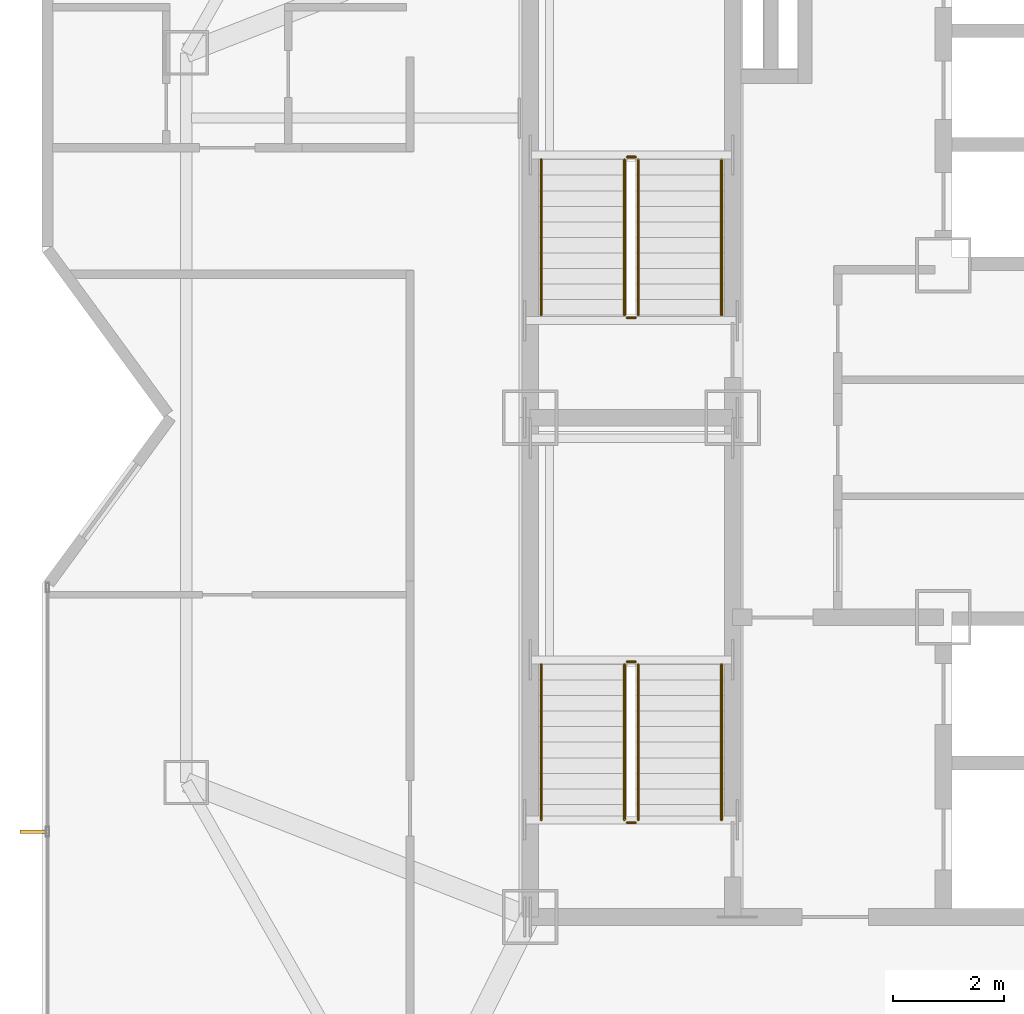
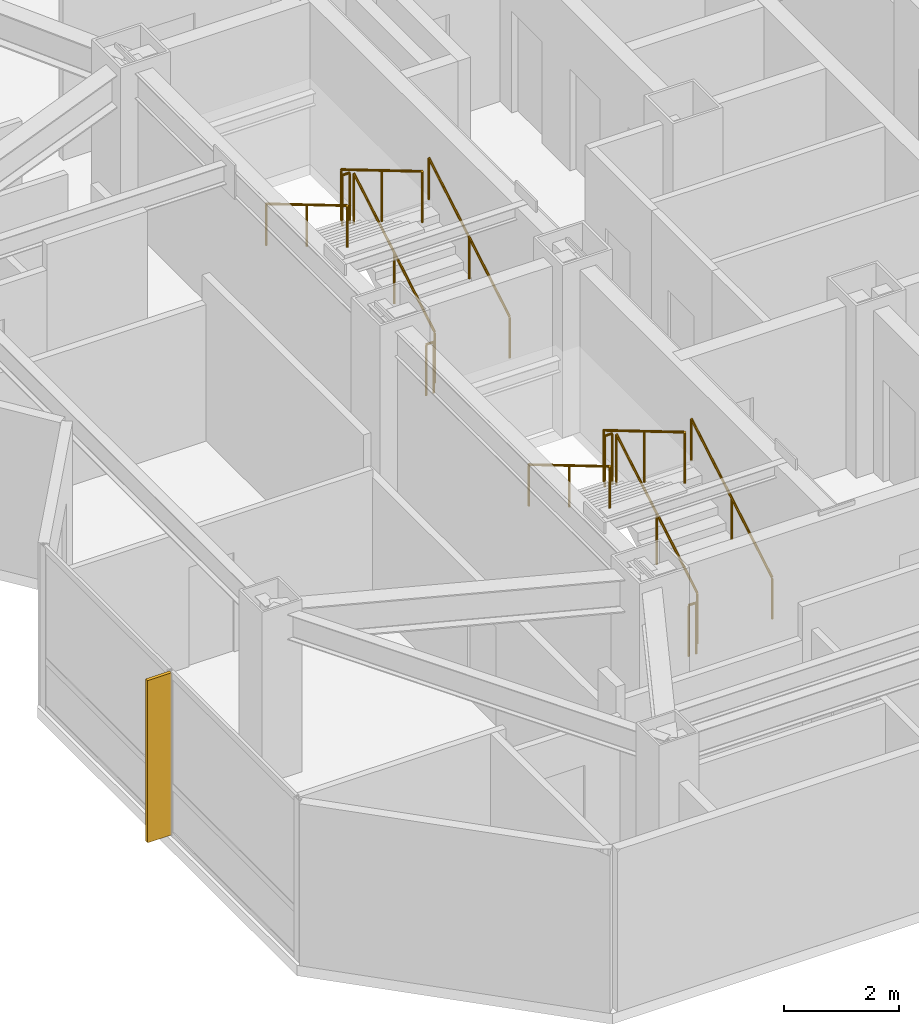
# One storey, part 14 of 14: 12 railings, 1 shading device.
"""IFC4 building model written with IfcOpenShell, lengths in metres."""

import ifcopenshell
import ifcopenshell.guid

model = None  # the IFC model being written
_history = None  # IfcOwnerHistory: only IFC2X3 demands one
_inside = {}  # id of a spatial element -> (the spatial element, [elements in it])
_under = {}  # id of a project, library or spatial element -> (it, [spatial elements below it])
_declared = {}  # id of a project -> (the project, [libraries it declares])
_typed = {}  # id of a type object -> (the type object, [elements of that type])
_made_of = {}  # id of a material, layer set ... -> (it, [elements and type objects made of it])


def new_model(schema):
    """Start an empty IFC model of exactly this schema.

    Asked for "IFC4X3", IfcOpenShell would pick the latest addendum, in which some entities
    have other attributes; the version numbers below select the first issue.
    IFC2X3 requires an IfcOwnerHistory on every rooted entity: one is made here for all.
    """
    global model, _history
    if schema == "IFC4X3":
        model = ifcopenshell.file(schema_version=(4, 3, 0, 0))
    else:
        model = ifcopenshell.file(schema=schema)
    _inside.clear()
    _under.clear()
    _declared.clear()
    _typed.clear()
    _made_of.clear()
    _history = None
    if model.schema == "IFC2X3":
        org = make("IfcOrganization", Name="unknown")
        user = make(
            "IfcPersonAndOrganization",
            ThePerson=make("IfcPerson", FamilyName="unknown"),
            TheOrganization=org,
        )
        app = make(
            "IfcApplication",
            ApplicationDeveloper=org,
            Version="unknown",
            ApplicationFullName="unknown",
            ApplicationIdentifier="unknown",
        )
        _history = make(
            "IfcOwnerHistory",
            OwningUser=user,
            OwningApplication=app,
            ChangeAction="ADDED",
            CreationDate=0,
        )
    return model


def make(cls, **values):
    """One entity of the class cls with the attributes given. An attribute that is None is left unset."""
    return model.create_entity(
        cls, **{name: value for name, value in values.items() if value is not None}
    )


def rooted(cls, **values):
    """An entity with a GlobalId (a new one), such as an element, a storey or a relation."""
    return make(cls, GlobalId=ifcopenshell.guid.new(), OwnerHistory=_history, **values)


def si_unit(unit_type, name, prefix=None):
    """IfcSIUnit, for example si_unit("LENGTHUNIT", "METRE", prefix="MILLI")."""
    return make("IfcSIUnit", UnitType=unit_type, Prefix=prefix, Name=name)


def assignment(units):
    """IfcUnitAssignment: the units of a project."""
    return None if units is None else make("IfcUnitAssignment", Units=units)


def point(xyz):
    """IfcCartesianPoint."""
    return None if xyz is None else make("IfcCartesianPoint", Coordinates=xyz)


def direction(xyz):
    """IfcDirection."""
    return None if xyz is None else make("IfcDirection", DirectionRatios=xyz)


def frame(location, z_axis=None, x_axis=None):
    """IfcAxis2Placement3D, a coordinate frame: its origin and axes. An axis left out is left unset."""
    return make(
        "IfcAxis2Placement3D",
        Location=point(location),
        Axis=direction(z_axis),
        RefDirection=direction(x_axis),
    )


def frame_2d(location, x_axis=None):
    """IfcAxis2Placement2D, a coordinate frame in the plane: its origin and x axis."""
    return make(
        "IfcAxis2Placement2D", Location=point(location), RefDirection=direction(x_axis)
    )


def origin():
    """The frame at (0, 0, 0) with its axes left unset."""
    return frame((0.0, 0.0, 0.0))


def origin_2d():
    """The frame at (0, 0) in the plane with its x axis left unset."""
    return frame_2d((0.0, 0.0))


def place(relative_to, where):
    """IfcLocalPlacement: puts the frame where relative to a parent placement (None: the world)."""
    return make(
        "IfcLocalPlacement", PlacementRelTo=relative_to, RelativePlacement=where
    )


def context(
    kind, dimensions, precision=None, world=None, true_north=None, identifier=None
):
    """IfcGeometricRepresentationContext, for example the 3D "Model" context."""
    return make(
        "IfcGeometricRepresentationContext",
        ContextIdentifier=identifier,
        ContextType=kind,
        CoordinateSpaceDimension=dimensions,
        Precision=precision,
        WorldCoordinateSystem=world,
        TrueNorth=true_north,
    )


def subcontext(parent, identifier, kind, view, scale=None):
    """IfcGeometricRepresentationSubContext, for example "Body" below "Model"."""
    return make(
        "IfcGeometricRepresentationSubContext",
        ContextIdentifier=identifier,
        ContextType=kind,
        ParentContext=parent,
        TargetScale=scale,
        TargetView=view,
    )


def project(units=None, contexts=None):
    """IfcProject with its units and contexts."""
    return rooted(
        "IfcProject",
        Name="project",
        RepresentationContexts=contexts,
        UnitsInContext=assignment(units),
    )


def spatial(cls, under=None, at=None, **own):
    """A site, building, storey or space (cls), placed at a placement, below another one or the project."""
    s = rooted(cls, ObjectPlacement=at, **own)
    if under is not None:
        _under.setdefault(under.id(), (under, []))[1].append(s)
    return s


def profile(cls, at=None, kind="AREA", **sizes):
    """A parametric profile (cls). Its sizes go by their IFC names, for example OverallWidth=200.0."""
    return make(cls, ProfileType=kind, Position=at, **sizes)


def rectangle(**sizes):
    """IfcRectangleProfileDef."""
    return profile("IfcRectangleProfileDef", **sizes)


def circle(**sizes):
    """IfcCircleProfileDef."""
    return profile("IfcCircleProfileDef", **sizes)


def extrude(swept, where, along, depth):
    """IfcExtrudedAreaSolid: the profile swept, set in the frame where, extruded along a direction by depth."""
    return make(
        "IfcExtrudedAreaSolid",
        SweptArea=swept,
        Position=where,
        ExtrudedDirection=direction(along),
        Depth=depth,
    )


def shape(context_of_items, identifier, shape_type, items):
    """IfcShapeRepresentation: the items that make up one representation, for example the "Body"."""
    return make(
        "IfcShapeRepresentation",
        ContextOfItems=context_of_items,
        RepresentationIdentifier=identifier,
        RepresentationType=shape_type,
        Items=items,
    )


def material(Name=None, Category=None):
    """IfcMaterial."""
    return make("IfcMaterial", Name=Name, Category=Category)


def made_of(thing, what):
    """Note that an element or type object is made of a material, layer set ...; save() writes the relation."""
    if what is not None:
        _made_of.setdefault(what.id(), (what, []))[1].append(thing)
    return thing


def type_object(cls, material=None, **own):
    """A type object (cls), such as IfcWallType, which elements share."""
    return made_of(rooted(cls, **own), material)


def element(
    cls,
    number,
    at=None,
    inside=None,
    cuts=None,
    type_object=None,
    material=None,
    context=None,
    identifier="Body",
    shape_type=None,
    held_by="IfcProductDefinitionShape",
    body=None,
    shapes=None,
    **own,
):
    """One element of the class cls, such as IfcWall. Its Tag is "e" and its number.

    at: its placement. inside: the storey or other place that contains it. cuts: it is an
    opening in that element (IfcRelVoidsElement). A single representation is given by context,
    identifier, shape_type and body (its items); several are given by shapes. held_by: the class
    of the entity that holds the representations. save() writes the other relations.
    """
    e = rooted(cls, Tag="e%d" % number, ObjectPlacement=at, **own)
    if body is not None:
        shapes = [shape(context, identifier, shape_type, body)]
    if shapes is not None:
        e.Representation = make(held_by, Representations=shapes)
    if inside is not None:
        _inside.setdefault(inside.id(), (inside, []))[1].append(e)
    if cuts is not None:
        rooted(
            "IfcRelVoidsElement", RelatingBuildingElement=cuts, RelatedOpeningElement=e
        )
    if type_object is not None:
        _typed.setdefault(type_object.id(), (type_object, []))[1].append(e)
    return made_of(e, material)


def aggregate(whole, parts):
    """IfcRelAggregates: a whole, such as a stair, and the parts it consists of."""
    return rooted("IfcRelAggregates", RelatingObject=whole, RelatedObjects=parts)


def save(model, path):
    """Write the relations noted so far, then the file.

    IfcRelAggregates (storeys below a building ...), IfcRelContainedInSpatialStructure (elements
    in a storey), IfcRelDefinesByType, IfcRelAssociatesMaterial and IfcRelDeclares: one each for
    every whole, place, type object, material and project.
    """
    for whole, parts in _under.values():
        aggregate(whole, parts)
    for where, things in _inside.values():
        rooted(
            "IfcRelContainedInSpatialStructure",
            RelatedElements=things,
            RelatingStructure=where,
        )
    for kind, things in _typed.values():
        rooted("IfcRelDefinesByType", RelatedObjects=things, RelatingType=kind)
    for what, things in _made_of.values():
        rooted("IfcRelAssociatesMaterial", RelatedObjects=things, RelatingMaterial=what)
    for by, libraries in _declared.values():
        rooted("IfcRelDeclares", RelatingContext=by, RelatedDefinitions=libraries)
    model.write(path)


model = new_model("IFC4")

# Units and contexts
model_context = context("Model", 3, precision=1e-05, world=origin(), true_north=direction((0.0, 1.0)))
body_context = subcontext(model_context, "Body", "Model", "MODEL_VIEW")
ifc_project = project(units=[si_unit("LENGTHUNIT", "METRE"), si_unit("AREAUNIT", "SQUARE_METRE"), si_unit("VOLUMEUNIT", "CUBIC_METRE"), si_unit("PLANEANGLEUNIT", "RADIAN"), si_unit("MASSUNIT", "GRAM", prefix="KILO")], contexts=[model_context])

# Site, building, storey
site_placement = place(None, origin())
site = spatial("IfcSite", under=ifc_project, at=site_placement, CompositionType="ELEMENT")
building_placement = place(site_placement, origin())
building = spatial("IfcBuilding", under=site, at=building_placement, Name="Khamvora Tower", CompositionType="ELEMENT")
storey_placement = place(building_placement, frame((0.0, 0.0, 253.699951171875)))
storey = spatial("IfcBuildingStorey", under=building, at=storey_placement, Name="L65", CompositionType="ELEMENT", Elevation=253.699951171875)

# Railings
ifc_material_1 = material(Name="Brushed Stainless Steel 316", Category="steel")
railing_type_1 = type_object("IfcRailingType", Name="RAL-HDR-920", PredefinedType="HANDRAIL", material=ifc_material_1)
railing_1_placement = place(storey_placement, frame((32.449951171875, 20.75, 0.166015625)))
element("IfcRailing", 1, at=railing_1_placement, inside=storey, type_object=railing_type_1, Name="L65 ST-01 stair handrail 1", PredefinedType="HANDRAIL", context=body_context, shape_type="SweptSolid", body=[
    extrude(circle(Radius=0.02392578125, at=origin_2d()), frame((0.0, 0.0, 0.8759765625), z_axis=(0.0, 0.860339051648, 0.50972219513), x_axis=(-1.0, 0.0, 0.0)), (0.0, 0.0, 1.0), 3.254638671875),
    extrude(circle(Radius=0.02099609375, at=origin_2d()), origin(), (0.0, 0.0, 1.0), 0.851806640625),
    extrude(circle(Radius=0.02099609375, at=origin_2d()), frame((0.0, 1.39990234375, 0.82958984375)), (0.0, 0.0, 1.0), 0.851806640625),
    extrude(circle(Radius=0.02099609375, at=origin_2d()), frame((0.0, 2.800048828125, 1.658935546875)), (0.0, 0.0, 1.0), 0.851806640625),
])
railing_2_placement = place(storey_placement, frame((29.199951171875, 23.550048828125, 1.990966796875)))
element("IfcRailing", 2, at=railing_2_placement, inside=storey, type_object=railing_type_1, Name="L65 ST-01 stair handrail 2", PredefinedType="HANDRAIL", context=body_context, shape_type="SweptSolid", body=[
    extrude(circle(Radius=0.02392578125, at=origin_2d()), frame((0.0, 0.0, 0.8759765625), z_axis=(0.0, -0.860306154799, 0.50977771628), x_axis=(1.0, 0.0, 0.0)), (0.0, 0.0, 1.0), 3.254638671875),
    extrude(circle(Radius=0.02099609375, at=origin_2d()), origin(), (0.0, 0.0, 1.0), 0.851806640625),
    extrude(circle(Radius=0.02099609375, at=origin_2d()), frame((0.0, -1.39990234375, 0.82958984375)), (0.0, 0.0, 1.0), 0.851806640625),
    extrude(circle(Radius=0.02099609375, at=origin_2d()), frame((0.0, -2.800048828125, 1.6591796875)), (0.0, 0.0, 1.0), 0.851806640625),
])
railing_3_placement = place(storey_placement, frame((32.449951171875, 29.85009765625, 0.166015625)))
element("IfcRailing", 3, at=railing_3_placement, inside=storey, type_object=railing_type_1, Name="L65 ST-02 stair handrail 1", PredefinedType="HANDRAIL", context=body_context, shape_type="SweptSolid", body=[
    extrude(circle(Radius=0.02392578125, at=origin_2d()), frame((0.0, 0.0, 0.8759765625), z_axis=(0.0, 0.860319559791, 0.509755093197), x_axis=(-1.0, 0.0, 0.0)), (0.0, 0.0, 1.0), 3.25439453125),
    extrude(circle(Radius=0.02099609375, at=origin_2d()), origin(), (0.0, 0.0, 1.0), 0.851806640625),
    extrude(circle(Radius=0.02099609375, at=origin_2d()), frame((0.0, 1.39990234375, 0.82958984375)), (0.0, 0.0, 1.0), 0.851806640625),
    extrude(circle(Radius=0.02099609375, at=origin_2d()), frame((0.0, 2.7998046875, 1.658935546875)), (0.0, 0.0, 1.0), 0.851806640625),
])
railing_4_placement = place(storey_placement, frame((29.199951171875, 32.64990234375, 1.990966796875)))
element("IfcRailing", 4, at=railing_4_placement, inside=storey, type_object=railing_type_1, Name="L65 ST-02 stair handrail 2", PredefinedType="HANDRAIL", context=body_context, shape_type="SweptSolid", body=[
    extrude(circle(Radius=0.02392578125, at=origin_2d()), frame((0.0, 0.0, 0.8759765625), z_axis=(0.0, -0.860286659441, 0.509810615413), x_axis=(1.0, 0.0, 0.0)), (0.0, 0.0, 1.0), 3.25439453125),
    extrude(circle(Radius=0.02099609375, at=origin_2d()), origin(), (0.0, 0.0, 1.0), 0.851806640625),
    extrude(circle(Radius=0.02099609375, at=origin_2d()), frame((0.0, -1.39990234375, 0.82958984375)), (0.0, 0.0, 1.0), 0.851806640625),
    extrude(circle(Radius=0.02099609375, at=origin_2d()), frame((0.0, -2.7998046875, 1.6591796875)), (0.0, 0.0, 1.0), 0.851806640625),
])
ifc_material_2 = material(Name="Stainless Steel 316", Category="steel")
railing_type_2 = type_object("IfcRailingType", Name="RAL-STG-1100", PredefinedType="GUARDRAIL", material=ifc_material_2)
railing_5_placement = place(storey_placement, frame((30.949951171875, 20.75, 0.166015625)))
element("IfcRailing", 5, at=railing_5_placement, inside=storey, type_object=railing_type_2, Name="L65 ST-01 stair guard 1", PredefinedType="GUARDRAIL", context=body_context, shape_type="SweptSolid", body=[
    extrude(circle(Radius=0.02392578125, at=origin_2d()), frame((0.0, 0.0, 1.076171875), z_axis=(0.0, 0.860339051648, 0.50972219513), x_axis=(-1.0, 0.0, 0.0)), (0.0, 0.0, 1.0), 3.254638671875),
    extrude(circle(Radius=0.02099609375, at=origin_2d()), origin(), (0.0, 0.0, 1.0), 1.052001953125),
    extrude(circle(Radius=0.02099609375, at=origin_2d()), frame((0.0, 1.39990234375, 0.82958984375)), (0.0, 0.0, 1.0), 1.052001953125),
    extrude(circle(Radius=0.02099609375, at=origin_2d()), frame((0.0, 2.800048828125, 1.658935546875)), (0.0, 0.0, 1.0), 1.052001953125),
])
railing_6_placement = place(storey_placement, frame((30.89990234375, 23.60009765625, 1.824951171875)))
element("IfcRailing", 6, at=railing_6_placement, inside=storey, type_object=railing_type_2, Name="L65 ST-01 stair guard 2", PredefinedType="GUARDRAIL", context=body_context, shape_type="SweptSolid", body=[
    extrude(circle(Radius=0.02392578125, at=origin_2d()), frame((0.0, 0.0, 1.076171875), z_axis=(-1.0, 0.0, 0.0), x_axis=(0.0, -1.0, 0.0)), (0.0, 0.0, 1.0), 0.14990234375),
    extrude(circle(Radius=0.02099609375, at=origin_2d()), origin(), (0.0, 0.0, 1.0), 1.052001953125),
    extrude(circle(Radius=0.02099609375, at=origin_2d()), frame((-0.14990234375, 0.0, 0.0)), (0.0, 0.0, 1.0), 1.052001953125),
])
railing_7_placement = place(storey_placement, frame((30.699951171875, 23.550048828125, 1.990966796875)))
element("IfcRailing", 7, at=railing_7_placement, inside=storey, type_object=railing_type_2, Name="L65 ST-01 stair guard 3", PredefinedType="GUARDRAIL", context=body_context, shape_type="SweptSolid", body=[
    extrude(circle(Radius=0.02392578125, at=origin_2d()), frame((0.0, 0.0, 1.076171875), z_axis=(0.0, -0.860306154799, 0.50977771628), x_axis=(1.0, 0.0, 0.0)), (0.0, 0.0, 1.0), 3.254638671875),
    extrude(circle(Radius=0.02099609375, at=origin_2d()), origin(), (0.0, 0.0, 1.0), 1.052001953125),
    extrude(circle(Radius=0.02099609375, at=origin_2d()), frame((0.0, -1.39990234375, 0.82958984375)), (0.0, 0.0, 1.0), 1.052001953125),
    extrude(circle(Radius=0.02099609375, at=origin_2d()), frame((0.0, -2.800048828125, 1.6591796875)), (0.0, 0.0, 1.0), 1.052001953125),
])
railing_8_placement = place(storey_placement, frame((30.89990234375, 20.699951171875, 0.0)))
element("IfcRailing", 8, at=railing_8_placement, inside=storey, type_object=railing_type_2, Name="L65 ST-01 stair guard 4", PredefinedType="GUARDRAIL", context=body_context, shape_type="SweptSolid", body=[
    extrude(circle(Radius=0.02392578125, at=origin_2d()), frame((0.0, 0.0, 1.076171875), z_axis=(-1.0, 0.0, 0.0), x_axis=(0.0, -1.0, 0.0)), (0.0, 0.0, 1.0), 0.14990234375),
    extrude(circle(Radius=0.02099609375, at=origin_2d()), origin(), (0.0, 0.0, 1.0), 1.052001953125),
    extrude(circle(Radius=0.02099609375, at=origin_2d()), frame((-0.14990234375, 0.0, 0.0)), (0.0, 0.0, 1.0), 1.052001953125),
])
railing_9_placement = place(storey_placement, frame((30.949951171875, 29.85009765625, 0.166015625)))
element("IfcRailing", 9, at=railing_9_placement, inside=storey, type_object=railing_type_2, Name="L65 ST-02 stair guard 1", PredefinedType="GUARDRAIL", context=body_context, shape_type="SweptSolid", body=[
    extrude(circle(Radius=0.02392578125, at=origin_2d()), frame((0.0, 0.0, 1.076171875), z_axis=(0.0, 0.860319559791, 0.509755093197), x_axis=(-1.0, 0.0, 0.0)), (0.0, 0.0, 1.0), 3.25439453125),
    extrude(circle(Radius=0.02099609375, at=origin_2d()), origin(), (0.0, 0.0, 1.0), 1.052001953125),
    extrude(circle(Radius=0.02099609375, at=origin_2d()), frame((0.0, 1.39990234375, 0.82958984375)), (0.0, 0.0, 1.0), 1.052001953125),
    extrude(circle(Radius=0.02099609375, at=origin_2d()), frame((0.0, 2.7998046875, 1.658935546875)), (0.0, 0.0, 1.0), 1.052001953125),
])
railing_10_placement = place(storey_placement, frame((30.89990234375, 32.699951171875, 1.824951171875)))
element("IfcRailing", 10, at=railing_10_placement, inside=storey, type_object=railing_type_2, Name="L65 ST-02 stair guard 2", PredefinedType="GUARDRAIL", context=body_context, shape_type="SweptSolid", body=[
    extrude(circle(Radius=0.02392578125, at=origin_2d()), frame((0.0, 0.0, 1.076171875), z_axis=(-1.0, 0.0, 0.0), x_axis=(0.0, -1.0, 0.0)), (0.0, 0.0, 1.0), 0.14990234375),
    extrude(circle(Radius=0.02099609375, at=origin_2d()), origin(), (0.0, 0.0, 1.0), 1.052001953125),
    extrude(circle(Radius=0.02099609375, at=origin_2d()), frame((-0.14990234375, 0.0, 0.0)), (0.0, 0.0, 1.0), 1.052001953125),
])
railing_11_placement = place(storey_placement, frame((30.699951171875, 32.64990234375, 1.990966796875)))
element("IfcRailing", 11, at=railing_11_placement, inside=storey, type_object=railing_type_2, Name="L65 ST-02 stair guard 3", PredefinedType="GUARDRAIL", context=body_context, shape_type="SweptSolid", body=[
    extrude(circle(Radius=0.02392578125, at=origin_2d()), frame((0.0, 0.0, 1.076171875), z_axis=(0.0, -0.860286659441, 0.509810615413), x_axis=(1.0, 0.0, 0.0)), (0.0, 0.0, 1.0), 3.25439453125),
    extrude(circle(Radius=0.02099609375, at=origin_2d()), origin(), (0.0, 0.0, 1.0), 1.052001953125),
    extrude(circle(Radius=0.02099609375, at=origin_2d()), frame((0.0, -1.39990234375, 0.82958984375)), (0.0, 0.0, 1.0), 1.052001953125),
    extrude(circle(Radius=0.02099609375, at=origin_2d()), frame((0.0, -2.7998046875, 1.6591796875)), (0.0, 0.0, 1.0), 1.052001953125),
])
railing_12_placement = place(storey_placement, frame((30.89990234375, 29.800048828125, 0.0)))
element("IfcRailing", 12, at=railing_12_placement, inside=storey, type_object=railing_type_2, Name="L65 ST-02 stair guard 4", PredefinedType="GUARDRAIL", context=body_context, shape_type="SweptSolid", body=[
    extrude(circle(Radius=0.02392578125, at=origin_2d()), frame((0.0, 0.0, 1.076171875), z_axis=(-1.0, 0.0, 0.0), x_axis=(0.0, -1.0, 0.0)), (0.0, 0.0, 1.0), 0.14990234375),
    extrude(circle(Radius=0.02099609375, at=origin_2d()), origin(), (0.0, 0.0, 1.0), 1.052001953125),
    extrude(circle(Radius=0.02099609375, at=origin_2d()), frame((-0.14990234375, 0.0, 0.0)), (0.0, 0.0, 1.0), 1.052001953125),
])

# Shading device
ifc_material_3 = material(Name="Anodised Bronze Aluminium 6063-T6", Category="aluminium")
shading_device_type = type_object("IfcShadingDeviceType", Name="SHD-FIN-480", PredefinedType="USERDEFINED", material=ifc_material_3)
shading_device_placement = place(storey_placement, frame((20.044921875, 20.534912109375, 0.0), z_axis=(0.0, 0.0, 1.0), x_axis=(0.0, 1.0, 0.0)))
element("IfcShadingDevice", 13, at=shading_device_placement, inside=storey, type_object=shading_device_type, Name="L65 anodised bronze solar fin 02.01", ObjectType="FIN", PredefinedType="USERDEFINED", context=body_context, shape_type="SweptSolid", body=[
    extrude(rectangle(XDim=0.06494140625, YDim=0.47998046875, at=origin_2d()), origin(), (0.0, 0.0, 1.0), 3.429931640625),
])

save(model, "model.ifc")
